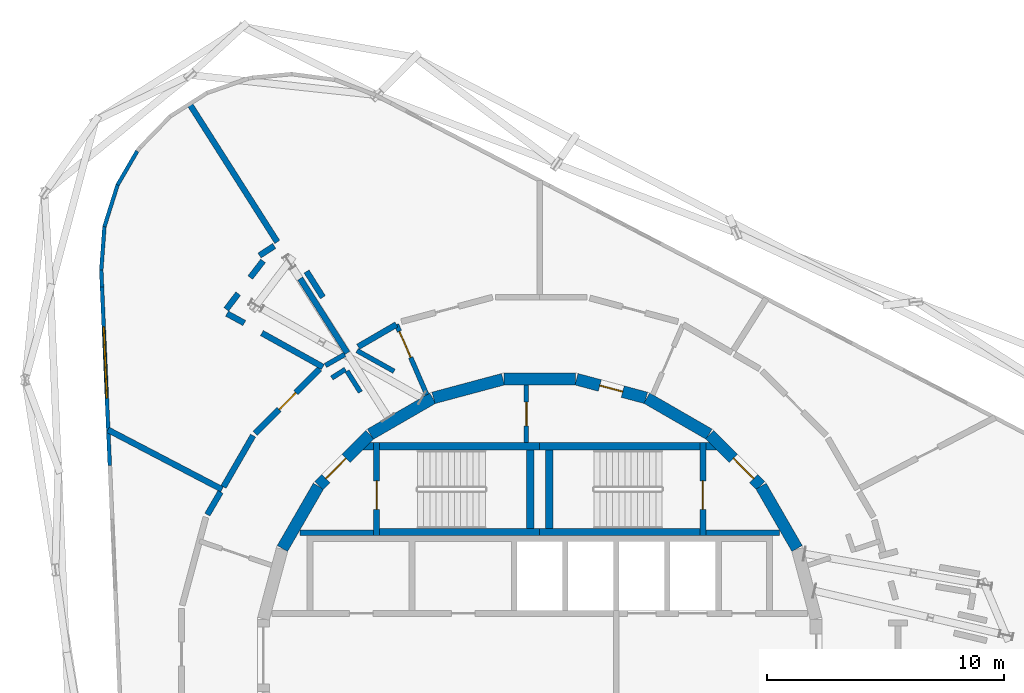
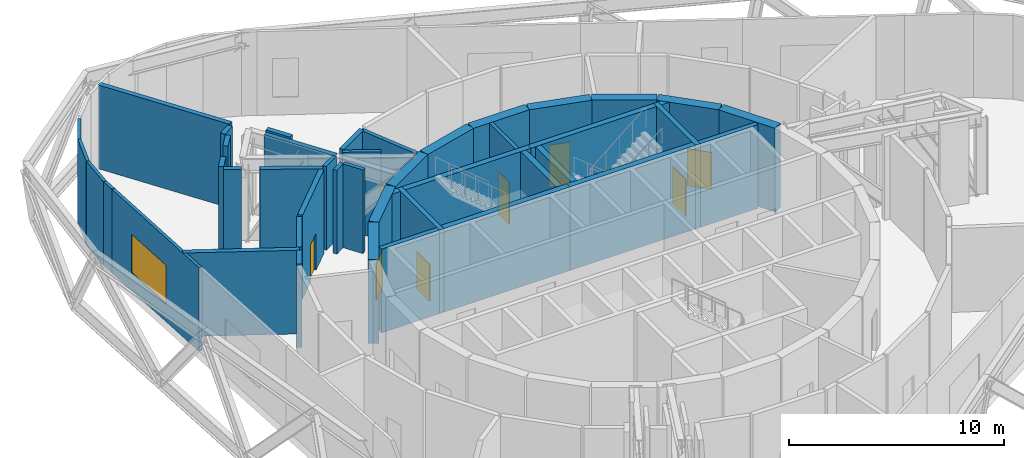
# One storey, part 9 of 12: 45 walls, 8 doors, 1 window, 9 openings.
"""IFC4 building model written with IfcOpenShell, lengths in metres."""

from ifc_helpers import new_model, si_unit, direction, frame, frame_2d, origin, place, context, subcontext, project, spatial, polyline, rectangle, outline, extrude, material, layer, layer_set, type_object, element, fill, save


model = new_model("IFC4")

# Units and contexts
model_context = context("Model", 3, precision=1e-05, world=origin(), true_north=direction((0.0, 1.0)))
body_context = subcontext(model_context, "Body", "Model", "MODEL_VIEW")
ifc_project = project(units=[si_unit("LENGTHUNIT", "METRE"), si_unit("AREAUNIT", "SQUARE_METRE"), si_unit("VOLUMEUNIT", "CUBIC_METRE"), si_unit("PLANEANGLEUNIT", "RADIAN"), si_unit("MASSUNIT", "GRAM", prefix="KILO")], contexts=[model_context])

# Site, building, storey
site_placement = place(None, origin())
site = spatial("IfcSite", under=ifc_project, at=site_placement, CompositionType="ELEMENT")
building_placement = place(site_placement, origin())
building = spatial("IfcBuilding", under=site, at=building_placement, Name="Spindle Arch Residences", CompositionType="ELEMENT")
storey_placement = place(building_placement, frame((0.0, 0.0, 258.199951171875)))
storey = spatial("IfcBuildingStorey", under=building, at=storey_placement, Name="L66", CompositionType="ELEMENT", Elevation=258.199951171875)

# Wall
ifc_material_1 = material(Name="Concrete C50/60", Category="concrete")
ifc_layer_1 = layer(ifc_material_1, 0.5)
ifc_layer_set_1 = layer_set([ifc_layer_1], Name="Core outline wall 500")
wall_type_1 = type_object("IfcWallType", Name="Core outline wall 500", PredefinedType="SHEAR", material=ifc_layer_set_1)
wall_1_placement = place(storey_placement, frame((10.84521484375, 4.510498046875, 0.0), z_axis=(0.0, 0.0, 1.0), x_axis=(-0.500087131594, 0.865975092491, 0.0)))
element("IfcWall", 1, at=wall_1_placement, inside=storey, type_object=wall_type_1, Name="Core outline wall 8", PredefinedType="SHEAR", context=body_context, shape_type="SweptSolid", body=[
    extrude(rectangle(XDim=3.03271484375, YDim=0.5, at=frame_2d((1.516357421875, 0.0))), origin(), (0.0, 0.0, 1.0), 4.75),
])

# Wall, opening, door
wall_2_placement = place(storey_placement, frame((9.30810546875, 7.163818359375, 0.0), z_axis=(0.0, 0.0, 1.0), x_axis=(-0.707106781187, 0.707106781187, 0.0)))
wall_2 = element("IfcWall", 2, at=wall_2_placement, inside=storey, type_object=wall_type_1, Name="Core outline wall 9", PredefinedType="SHEAR", context=body_context, shape_type="SweptSolid", body=[
    extrude(rectangle(XDim=3.032470703125, YDim=0.5, at=frame_2d((1.51611328125, 0.0))), origin(), (0.0, 0.0, 1.0), 4.75),
])
opening_1_placement = place(wall_2_placement, frame((0.416259765625, 0.0, 0.0)))
opening_1 = element("IfcOpeningElement", 3, at=opening_1_placement, cuts=wall_2, Name="Opening L66-AD01", PredefinedType="OPENING", context=body_context, shape_type="SweptSolid", body=[
    extrude(rectangle(XDim=1.199951171875, YDim=2.10009765625, at=frame_2d((0.60009765625, 1.050048828125))), frame((0.0, 0.260009765625, 0.0), z_axis=(0.0, -1.0, 0.0), x_axis=(1.0, 0.0, 0.0)), (0.0, 0.0, 1.0), 0.52001953125),
])
ifc_material_2 = material(Name="Steel, fire-resisting door", Category="steel")
door_type_1 = type_object("IfcDoorType", Name="Stair airlock door 1200x2100", OperationType="SINGLE_SWING_LEFT", PredefinedType="DOOR", material=ifc_material_2)
door_1_placement = place(opening_1_placement, origin())
door_1 = element("IfcDoor", 4, at=door_1_placement, inside=storey, type_object=door_type_1, Name="Stair airlock door L66-AD01", OperationType="SINGLE_SWING_RIGHT", OverallHeight=2.10009765625, OverallWidth=1.199951171875, PredefinedType="DOOR", context=body_context, shape_type="SweptSolid", body=[
    extrude(rectangle(XDim=1.199951171875, YDim=2.10009765625, at=frame_2d((0.60009765625, 1.050048828125))), frame((0.0, 0.02490234375, 0.0), z_axis=(0.0, -1.0, 0.0), x_axis=(1.0, 0.0, 0.0)), (0.0, 0.0, 1.0), 0.050048828125),
])
fill(opening_1, door_1)

# Wall
wall_3_placement = place(storey_placement, frame((7.13671875, 9.32861328125, 0.0), z_axis=(0.0, 0.0, 1.0), x_axis=(-0.865975092491, 0.500087131594, 0.0)))
element("IfcWall", 5, at=wall_3_placement, inside=storey, type_object=wall_type_1, Name="Core outline wall 10", PredefinedType="SHEAR", context=body_context, shape_type="SweptSolid", body=[
    extrude(rectangle(XDim=3.03271484375, YDim=0.5, at=frame_2d((1.516357421875, 0.0))), origin(), (0.0, 0.0, 1.0), 4.75),
])

# Wall, opening, door
wall_4_placement = place(storey_placement, frame((4.479248046875, 10.858154296875, 0.0), z_axis=(0.0, 0.0, 1.0), x_axis=(-0.965948410781, 0.258734743916, 0.0)))
wall_4 = element("IfcWall", 6, at=wall_4_placement, inside=storey, type_object=wall_type_1, Name="Core outline wall 11", PredefinedType="SHEAR", context=body_context, shape_type="SweptSolid", body=[
    extrude(rectangle(XDim=3.03271484375, YDim=0.5, at=frame_2d((1.516357421875, 0.0))), origin(), (0.0, 0.0, 1.0), 4.75),
])
opening_2_placement = place(wall_4_placement, frame((1.01611328125, 0.0, 0.0)))
opening_2 = element("IfcOpeningElement", 7, at=opening_2_placement, cuts=wall_4, Name="Opening L66-PD09", PredefinedType="OPENING", context=body_context, shape_type="SweptSolid", body=[
    extrude(rectangle(XDim=1.0, YDim=2.39990234375, at=frame_2d((0.5, 1.199951171875))), frame((0.0, 0.260009765625, 0.0), z_axis=(0.0, -1.0, 0.0), x_axis=(1.0, 0.0, 0.0)), (0.0, 0.0, 1.0), 0.52001953125),
])
ifc_material_3 = material(Name="Steel, fire-resisting door", Category="steel")
door_type_2 = type_object("IfcDoorType", Name="Plant room door 1000x2400", OperationType="SINGLE_SWING_LEFT", PredefinedType="DOOR", material=ifc_material_3)
door_2_placement = place(opening_2_placement, origin())
door_2 = element("IfcDoor", 8, at=door_2_placement, inside=storey, type_object=door_type_2, Name="Plant room door L66-PD09", OperationType="SINGLE_SWING_LEFT", OverallHeight=2.39990234375, OverallWidth=1.0, PredefinedType="DOOR", context=body_context, shape_type="SweptSolid", body=[
    extrude(rectangle(XDim=1.0, YDim=2.39990234375, at=frame_2d((0.5, 1.199951171875))), frame((0.0, 0.02490234375, 0.0), z_axis=(0.0, -1.0, 0.0), x_axis=(1.0, 0.0, 0.0)), (0.0, 0.0, 1.0), 0.050048828125),
])
fill(opening_2, door_2)

# Walls
for number, where, z_axis, x_axis, name in (
    (9, (1.516357421875, 11.647216796875, 0.0), (0.0, 0.0, 1.0), (-1.0, 0.0, 0.0), "Core outline wall 12"),
    (10, (-1.5498046875, 11.642822265625, 0.0), (0.0, 0.0, 1.0), (-0.965948410781, -0.258734743916, 0.0), "Core outline wall 13"),
    (11, (-4.510498046875, 10.84521484375, 0.0), (0.0, 0.0, 1.0), (-0.865975092491, -0.500087131594, 0.0), "Core outline wall 14"),
):
    element("IfcWall", number, at=place(storey_placement, frame(where, z_axis=z_axis, x_axis=x_axis)), inside=storey, type_object=wall_type_1, Name=name, PredefinedType="SHEAR", context=body_context, shape_type="SweptSolid", body=[
        extrude(rectangle(XDim=3.03271484375, YDim=0.5, at=frame_2d((1.516357421875, 0.0))), origin(), (0.0, 0.0, 1.0), 4.75),
    ])

# Wall, opening, door
wall_5_placement = place(storey_placement, frame((-7.163818359375, 9.30810546875, 0.0), z_axis=(0.0, 0.0, 1.0), x_axis=(-0.707106781187, -0.707106781187, 0.0)))
wall_5 = element("IfcWall", 12, at=wall_5_placement, inside=storey, type_object=wall_type_1, Name="Core outline wall 15", PredefinedType="SHEAR", context=body_context, shape_type="SweptSolid", body=[
    extrude(rectangle(XDim=3.032470703125, YDim=0.5, at=frame_2d((1.51611328125, 0.0))), origin(), (0.0, 0.0, 1.0), 4.75),
])
opening_3_placement = place(wall_5_placement, frame((1.416259765625, 0.0, 0.0)))
opening_3 = element("IfcOpeningElement", 13, at=opening_3_placement, cuts=wall_5, Name="Opening L66-AD02", PredefinedType="OPENING", context=body_context, shape_type="SweptSolid", body=[
    extrude(rectangle(XDim=1.199951171875, YDim=2.10009765625, at=frame_2d((0.60009765625, 1.050048828125))), frame((0.0, 0.260009765625, 0.0), z_axis=(0.0, -1.0, 0.0), x_axis=(1.0, 0.0, 0.0)), (0.0, 0.0, 1.0), 0.52001953125),
])
door_3_placement = place(opening_3_placement, origin())
door_3 = element("IfcDoor", 14, at=door_3_placement, inside=storey, type_object=door_type_1, Name="Stair airlock door L66-AD02", OperationType="SINGLE_SWING_RIGHT", OverallHeight=2.10009765625, OverallWidth=1.199951171875, PredefinedType="DOOR", context=body_context, shape_type="SweptSolid", body=[
    extrude(rectangle(XDim=1.199951171875, YDim=2.10009765625, at=frame_2d((0.60009765625, 1.050048828125))), frame((0.0, 0.02490234375, 0.0), z_axis=(0.0, -1.0, 0.0), x_axis=(1.0, 0.0, 0.0)), (0.0, 0.0, 1.0), 0.050048828125),
])
fill(opening_3, door_3)

# Walls
wall_6_placement = place(storey_placement, frame((-9.32861328125, 7.13671875, 0.0), z_axis=(0.0, 0.0, 1.0), x_axis=(-0.500087131594, -0.865975092491, 0.0)))
element("IfcWall", 15, at=wall_6_placement, inside=storey, type_object=wall_type_1, Name="Core outline wall 16", PredefinedType="SHEAR", context=body_context, shape_type="SweptSolid", body=[
    extrude(rectangle(XDim=3.03271484375, YDim=0.5, at=frame_2d((1.516357421875, 0.0))), origin(), (0.0, 0.0, 1.0), 4.75),
])
ifc_material_4 = material(Name="Non-combustible mineral wool insulated aluminium faced external wall (K0)", Category="aluminium")
ifc_layer_2 = layer(ifc_material_4, 0.159912109375)
ifc_layer_set_2 = layer_set([ifc_layer_2], Name="Insulated external wall panel 160")
wall_type_2 = type_object("IfcWallType", Name="Insulated external wall panel 160", PredefinedType="STANDARD", material=ifc_layer_set_2)
wall_7_placement = place(storey_placement, frame((-16.9638671875, 21.259521484375, 0.0), z_axis=(0.0, 0.0, 1.0), x_axis=(-0.502331021431, -0.864675398579, 0.0)))
element("IfcWall", 16, at=wall_7_placement, inside=storey, type_object=wall_type_2, Name="Plant wall L66 bay 12.1", PredefinedType="STANDARD", context=body_context, shape_type="SweptSolid", body=[
    extrude(rectangle(XDim=1.65673828125, YDim=0.159912109375, at=frame_2d((0.828369140625, 0.0))), origin(), (0.0, 0.0, 1.0), 4.75),
])
wall_8_placement = place(storey_placement, frame((-17.79248046875, 19.8349609375, 0.0), z_axis=(0.0, 0.0, 1.0), x_axis=(-0.300688740971, -0.953722329116, 0.0)))
element("IfcWall", 17, at=wall_8_placement, inside=storey, type_object=wall_type_2, Name="Plant wall L66 bay 12.2", PredefinedType="STANDARD", context=body_context, shape_type="SweptSolid", body=[
    extrude(rectangle(XDim=1.847900390625, YDim=0.159912109375, at=frame_2d((0.923828125, 0.0))), origin(), (0.0, 0.0, 1.0), 4.75),
])
wall_9_placement = place(storey_placement, frame((-18.346435546875, 18.081787109375, 0.0), z_axis=(0.0, 0.0, 1.0), x_axis=(-0.072731814363, -0.997351534405, 0.0)))
element("IfcWall", 18, at=wall_9_placement, inside=storey, type_object=wall_type_2, Name="Plant wall L66 bay 12.3", PredefinedType="STANDARD", context=body_context, shape_type="SweptSolid", body=[
    extrude(rectangle(XDim=1.84619140625, YDim=0.159912109375, at=frame_2d((0.923095703125, 0.0))), origin(), (0.0, 0.0, 1.0), 4.75),
])
wall_10_placement = place(storey_placement, frame((-18.48046875, 16.245361328125, 0.0), z_axis=(0.0, 0.0, 1.0), x_axis=(0.043349043564, -0.9990599884, 0.0)))
element("IfcWall", 19, at=wall_10_placement, inside=storey, type_object=wall_type_2, Name="Plant wall L66 bay 12.4", PredefinedType="STANDARD", context=body_context, shape_type="SweptSolid", body=[
    extrude(rectangle(XDim=0.720947265625, YDim=0.159912109375, at=frame_2d((0.3603515625, 0.0))), origin(), (0.0, 0.0, 1.0), 4.75),
])

# Wall, opening, window
wall_11_placement = place(storey_placement, frame((-18.44921875, 15.525146484375, 0.0), z_axis=(0.0, 0.0, 1.0), x_axis=(0.043639829449, -0.999047328852, 0.0)))
wall_11 = element("IfcWall", 20, at=wall_11_placement, inside=storey, type_object=wall_type_2, Name="Plant wall L66 bay 13", PredefinedType="STANDARD", context=body_context, shape_type="SweptSolid", body=[
    extrude(rectangle(XDim=7.530029296875, YDim=0.159912109375, at=frame_2d((3.76513671875, 0.0))), origin(), (0.0, 0.0, 1.0), 4.75),
])
opening_4_placement = place(wall_11_placement, frame((1.676513671875, 0.0, 1.0)))
opening_4 = element("IfcOpeningElement", 21, at=opening_4_placement, cuts=wall_11, Name="Opening LW1", PredefinedType="OPENING", context=body_context, shape_type="SweptSolid", body=[
    extrude(rectangle(XDim=3.0, YDim=2.199951171875, at=frame_2d((1.5, 1.10009765625))), frame((0.0, 0.08984375, 0.0), z_axis=(0.0, -1.0, 0.0), x_axis=(1.0, 0.0, 0.0)), (0.0, 0.0, 1.0), 0.179931640625),
])
ifc_material_5 = material(Name="Bronze anodised aluminium fixed louvre", Category="aluminium")
window_type = type_object("IfcWindowType", Name="Plant louvre opening 3000x2200", PartitioningType="SINGLE_PANEL", PredefinedType="WINDOW", material=ifc_material_5)
window_placement = place(opening_4_placement, origin())
window = element("IfcWindow", 22, at=window_placement, inside=storey, type_object=window_type, Name="Louvre opening L66 bay 13.1", OverallHeight=2.199951171875, OverallWidth=3.0, PartitioningType="SINGLE_PANEL", PredefinedType="WINDOW", context=body_context, shape_type="SweptSolid", body=[
    extrude(rectangle(XDim=3.0, YDim=2.199951171875, at=frame_2d((1.5, 1.10009765625))), frame((0.0, 0.030029296875, 0.0), z_axis=(0.0, -1.0, 0.0), x_axis=(1.0, 0.0, 0.0)), (0.0, 0.0, 1.0), 0.06005859375),
])
fill(opening_4, window)

# Walls
ifc_material_6 = material(Name="Concrete C25/30 wall", Category="concrete")
ifc_layer_3 = layer(ifc_material_6, 0.25)
ifc_layer_set_3 = layer_set([ifc_layer_3], Name="Partition EI 120 250 plant")
wall_type_3 = type_object("IfcWallType", Name="Partition EI 120 250 plant", PredefinedType="PARTITIONING", material=ifc_layer_set_3)
wall_12_placement = place(storey_placement, frame((-10.097900390625, 15.88623046875, 0.0), z_axis=(0.0, 0.0, 1.0), x_axis=(0.535343000647, -0.844634756364, 0.0)))
element("IfcWall", 23, at=wall_12_placement, inside=storey, type_object=wall_type_3, Name="L66-W018", PredefinedType="PARTITIONING", context=body_context, shape_type="SweptSolid", body=[
    extrude(rectangle(XDim=3.713134765625, YDim=0.25, at=frame_2d((1.8564453125, 0.0))), origin(), (0.0, 0.0, 1.0), 4.75),
])
wall_13_placement = place(storey_placement, frame((-9.139892578125, 15.10009765625, 0.0), z_axis=(0.0, 0.0, 1.0), x_axis=(-0.535889684675, 0.844288011202, 0.0)))
element("IfcWall", 24, at=wall_13_placement, inside=storey, type_object=wall_type_3, Name="L66-W021", PredefinedType="PARTITIONING", context=body_context, shape_type="SweptSolid", body=[
    extrude(rectangle(XDim=1.282470703125, YDim=0.25, at=frame_2d((0.64111328125, 0.0))), origin(), (0.0, 0.0, 1.0), 4.75),
])
wall_14_placement = place(storey_placement, frame((-7.65185546875, 13.012939453125, 0.0), z_axis=(0.0, 0.0, 1.0), x_axis=(0.864528358021, 0.50258404091, 0.0)))
element("IfcWall", 25, at=wall_14_placement, inside=storey, type_object=wall_type_3, Name="L66-W026", PredefinedType="PARTITIONING", context=body_context, shape_type="SweptSolid", body=[
    extrude(rectangle(XDim=1.864501953125, YDim=0.25, at=frame_2d((0.93212890625, 0.0))), origin(), (0.0, 0.0, 1.0), 4.75),
])
ifc_material_7 = material(Name="Concrete C25/30 wall", Category="concrete")
ifc_layer_4 = layer(ifc_material_7, 0.25)
ifc_layer_set_4 = layer_set([ifc_layer_4], Name="Partition EI 150 250 electrical")
wall_type_4 = type_object("IfcWallType", Name="Partition EI 150 250 electrical", PredefinedType="PARTITIONING", material=ifc_layer_set_4)
wall_15_placement = place(storey_placement, frame((-13.389892578125, 7.0, 0.0), z_axis=(0.0, 0.0, 1.0), x_axis=(-0.886293445751, 0.463124095701, 0.0)))
element("IfcWall", 26, at=wall_15_placement, inside=storey, type_object=wall_type_4, Name="L66-W006", PredefinedType="PARTITIONING", context=body_context, shape_type="SweptSolid", body=[
    extrude(rectangle(XDim=5.426025390625, YDim=0.25, at=frame_2d((2.712890625, 0.0))), origin(), (0.0, 0.0, 1.0), 4.75),
])
wall_16_placement = place(storey_placement, frame((-13.452880859375, 6.891845703125, 0.0), z_axis=(0.0, 0.0, 1.0), x_axis=(-0.502370413152, -0.864652512857, 0.0)))
element("IfcWall", 27, at=wall_16_placement, inside=storey, type_object=wall_type_4, Name="L66-W007", PredefinedType="PARTITIONING", context=body_context, shape_type="SweptSolid", body=[
    extrude(rectangle(XDim=1.103271484375, YDim=0.25, at=frame_2d((0.5517578125, 0.0))), origin(), (0.0, 0.0, 1.0), 4.75),
])
ifc_material_8 = material(Name="Gypsum board partition on steel studs", Category="steel")
ifc_layer_5 = layer(ifc_material_8, 0.199951171875)
ifc_layer_set_5 = layer_set([ifc_layer_5], Name="Partition EI 60 200 amenity")
wall_type_5 = type_object("IfcWallType", Name="Partition EI 60 200 amenity", PredefinedType="PARTITIONING", material=ifc_layer_set_5)
wall_17_placement = place(storey_placement, frame((-8.119873046875, 11.986328125, 0.0), z_axis=(0.0, 0.0, 1.0), x_axis=(0.534054329683, -0.845450159943, 0.0)))
element("IfcWall", 28, at=wall_17_placement, inside=storey, type_object=wall_type_5, Name="L66-W024", PredefinedType="PARTITIONING", context=body_context, shape_type="SweptSolid", body=[
    extrude(rectangle(XDim=1.04833984375, YDim=0.199951171875, at=frame_2d((0.524169921875, 0.0))), origin(), (0.0, 0.0, 1.0), 4.75),
])
wall_18_placement = place(storey_placement, frame((-8.218505859375, 12.68798828125, 0.0), z_axis=(0.0, 0.0, 1.0), x_axis=(-0.867665313517, -0.497148774231, 0.0)))
element("IfcWall", 29, at=wall_18_placement, inside=storey, type_object=wall_type_5, Name="L66-W025", PredefinedType="PARTITIONING", context=body_context, shape_type="SweptSolid", body=[
    extrude(rectangle(XDim=0.93701171875, YDim=0.199951171875, at=frame_2d((0.468505859375, 0.0))), origin(), (0.0, 0.0, 1.0), 4.75),
])
wall_19_placement = place(storey_placement, frame((-6.139892578125, 11.97998046875, 0.0), z_axis=(0.0, 0.0, 1.0), x_axis=(-0.873343748456, 0.487104400547, 0.0)))
element("IfcWall", 30, at=wall_19_placement, inside=storey, type_object=wall_type_5, Name="L66-W031", PredefinedType="PARTITIONING", context=body_context, shape_type="SweptSolid", body=[
    extrude(rectangle(XDim=1.786376953125, YDim=0.199951171875, at=frame_2d((0.89306640625, 0.0))), origin(), (0.0, 0.0, 1.0), 4.75),
])

# Wall, opening, door
wall_20_placement = place(storey_placement, frame((-6.039306640625, 13.948486328125, 0.0), z_axis=(0.0, 0.0, 1.0), x_axis=(0.396897353622, -0.917863002135, 0.0)))
wall_20 = element("IfcWall", 31, at=wall_20_placement, inside=storey, type_object=wall_type_5, Name="L66-W032", PredefinedType="PARTITIONING", context=body_context, shape_type="SweptSolid", body=[
    extrude(rectangle(XDim=3.22314453125, YDim=0.199951171875, at=frame_2d((1.611572265625, 0.0))), origin(), (0.0, 0.0, 1.0), 4.75),
])
opening_5_placement = place(wall_20_placement, frame((0.3115234375, 0.0, 0.0)))
opening_5 = element("IfcOpeningElement", 32, at=opening_5_placement, cuts=wall_20, Name="Opening L66-D12", PredefinedType="OPENING", context=body_context, shape_type="SweptSolid", body=[
    extrude(rectangle(XDim=1.199951171875, YDim=2.10009765625, at=frame_2d((0.60009765625, 1.050048828125))), frame((0.0, 0.10986328125, 0.0), z_axis=(0.0, -1.0, 0.0), x_axis=(1.0, 0.0, 0.0)), (0.0, 0.0, 1.0), 0.219970703125),
])
ifc_material_9 = material(Name="Steel door leaf, painted", Category="steel")
door_type_3 = type_object("IfcDoorType", Name="Door 1200x2100 EI 60", OperationType="SINGLE_SWING_LEFT", PredefinedType="DOOR", material=ifc_material_9)
door_4_placement = place(opening_5_placement, origin())
door_4 = element("IfcDoor", 33, at=door_4_placement, inside=storey, type_object=door_type_3, Name="L66-D12", OperationType="SINGLE_SWING_LEFT", OverallHeight=2.10009765625, OverallWidth=1.199951171875, PredefinedType="DOOR", context=body_context, shape_type="SweptSolid", body=[
    extrude(rectangle(XDim=1.199951171875, YDim=2.10009765625, at=frame_2d((0.60009765625, 1.050048828125))), frame((0.0, 0.02490234375, 0.0), z_axis=(0.0, -1.0, 0.0), x_axis=(1.0, 0.0, 0.0)), (0.0, 0.0, 1.0), 0.050048828125),
])
fill(opening_5, door_4)

# Walls
wall_21_placement = place(storey_placement, frame((-8.192138671875, 12.058837890625, 0.0), z_axis=(0.0, 0.0, 1.0), x_axis=(-0.845540263532, -0.533911661932, 0.0)))
element("IfcWall", 34, at=wall_21_placement, inside=storey, type_object=wall_type_5, Name="L66-W074", PredefinedType="PARTITIONING", context=body_context, shape_type="SweptSolid", body=[
    extrude(rectangle(XDim=0.677734375, YDim=0.199951171875, at=frame_2d((0.3388671875, 0.0))), origin(), (0.0, 0.0, 1.0), 4.75),
])
ifc_material_10 = material(Name="Concrete C25/30 wall", Category="concrete")
ifc_layer_6 = layer(ifc_material_10, 0.25)
ifc_layer_set_6 = layer_set([ifc_layer_6], Name="Partition REI 120 250 refuge")
wall_type_6 = type_object("IfcWallType", Name="Partition REI 120 250 refuge", PredefinedType="PARTITIONING", material=ifc_layer_set_6)
wall_22_placement = place(storey_placement, frame((-13.179931640625, 14.409912109375, 0.0), z_axis=(0.0, 0.0, 1.0), x_axis=(0.877019761318, -0.480454304026, 0.0)))
element("IfcWall", 35, at=wall_22_placement, inside=storey, type_object=wall_type_6, Name="L66-W008", PredefinedType="PARTITIONING", context=body_context, shape_type="SweptSolid", body=[
    extrude(rectangle(XDim=0.832275390625, YDim=0.25, at=frame_2d((0.416015625, 0.0))), origin(), (0.0, 0.0, 1.0), 4.75),
])
wall_23_placement = place(storey_placement, frame((-12.7099609375, 15.25, 0.0), z_axis=(0.0, 0.0, 1.0), x_axis=(-0.603908782769, -0.797053437415, 0.0)))
element("IfcWall", 36, at=wall_23_placement, inside=storey, type_object=wall_type_6, Name="L66-W009", PredefinedType="PARTITIONING", context=body_context, shape_type="SweptSolid", body=[
    extrude(rectangle(XDim=0.827880859375, YDim=0.25, at=frame_2d((0.4140625, 0.0))), origin(), (0.0, 0.0, 1.0), 4.75),
])
wall_24_placement = place(storey_placement, frame((-12.080078125, 9.27001953125, 0.0), z_axis=(0.0, 0.0, 1.0), x_axis=(-0.499821239653, -0.866128586522, 0.0)))
element("IfcWall", 37, at=wall_24_placement, inside=storey, type_object=wall_type_6, Name="L66-W012", PredefinedType="PARTITIONING", context=body_context, shape_type="SweptSolid", body=[
    extrude(rectangle(XDim=2.49609375, YDim=0.25, at=frame_2d((1.248046875, 0.0))), origin(), (0.0, 0.0, 1.0), 4.75),
])
wall_25_placement = place(storey_placement, frame((-11.7099609375, 13.590087890625, 0.0), z_axis=(0.0, 0.0, 1.0), x_axis=(0.873816418471, -0.486255968406, 0.0)))
element("IfcWall", 38, at=wall_25_placement, inside=storey, type_object=wall_type_6, Name="L66-W013", PredefinedType="PARTITIONING", context=body_context, shape_type="SweptSolid", body=[
    extrude(rectangle(XDim=2.941162109375, YDim=0.25, at=frame_2d((1.470703125, 0.0))), origin(), (0.0, 0.0, 1.0), 4.75),
])
wall_26_placement = place(storey_placement, frame((-11.659912109375, 16.6298828125, 0.0), z_axis=(0.0, 0.0, 1.0), x_axis=(-0.610857864415, -0.791740279058, 0.0)))
element("IfcWall", 39, at=wall_26_placement, inside=storey, type_object=wall_type_6, Name="L66-W014", PredefinedType="PARTITIONING", context=body_context, shape_type="SweptSolid", body=[
    extrude(rectangle(XDim=0.884033203125, YDim=0.25, at=frame_2d((0.44189453125, 0.0))), origin(), (0.0, 0.0, 1.0), 4.75),
])
wall_27_placement = place(storey_placement, frame((-11.18994140625, 17.260009765625, 0.0), z_axis=(0.0, 0.0, 1.0), x_axis=(-0.840403598602, -0.541961060831, 0.0)))
element("IfcWall", 40, at=wall_27_placement, inside=storey, type_object=wall_type_6, Name="L66-W016", PredefinedType="PARTITIONING", context=body_context, shape_type="SweptSolid", body=[
    extrude(rectangle(XDim=0.73779296875, YDim=0.25, at=frame_2d((0.368896484375, 0.0))), origin(), (0.0, 0.0, 1.0), 4.75),
])
wall_28_placement = place(storey_placement, frame((-11.060791015625, 17.428955078125, 0.0), z_axis=(0.0, 0.0, 1.0), x_axis=(-0.536545243725, 0.843871555058, 0.0)))
element("IfcWall", 41, at=wall_28_placement, inside=storey, type_object=wall_type_6, Name="L66-W017", PredefinedType="PARTITIONING", context=body_context, shape_type="SweptSolid", body=[
    extrude(rectangle(XDim=6.88916015625, YDim=0.25, at=frame_2d((3.444580078125, 0.0))), origin(), (0.0, 0.0, 1.0), 4.75),
])

# Wall, opening, door
wall_29_placement = place(storey_placement, frame((-9.27001953125, 12.080078125, 0.0), z_axis=(0.0, 0.0, 1.0), x_axis=(-0.707106781187, -0.707106781187, 0.0)))
wall_29 = element("IfcWall", 42, at=wall_29_placement, inside=storey, type_object=wall_type_6, Name="L66-W020", PredefinedType="PARTITIONING", context=body_context, shape_type="SweptSolid", body=[
    extrude(rectangle(XDim=3.84912109375, YDim=0.25, at=frame_2d((1.924560546875, 0.0))), origin(), (0.0, 0.0, 1.0), 4.75),
])
opening_6_placement = place(wall_29_placement, frame((1.424560546875, 0.0, 0.0)))
opening_6 = element("IfcOpeningElement", 43, at=opening_6_placement, cuts=wall_29, Name="Opening L66-D08", PredefinedType="OPENING", context=body_context, shape_type="SweptSolid", body=[
    extrude(rectangle(XDim=1.0, YDim=2.10009765625, at=frame_2d((0.5, 1.050048828125))), frame((0.0, 0.135009765625, 0.0), z_axis=(0.0, -1.0, 0.0), x_axis=(1.0, 0.0, 0.0)), (0.0, 0.0, 1.0), 0.27001953125),
])
ifc_material_11 = material(Name="Steel door leaf, painted", Category="steel")
door_type_4 = type_object("IfcDoorType", Name="Door 1000x2100 EI 60", OperationType="SINGLE_SWING_LEFT", PredefinedType="DOOR", material=ifc_material_11)
door_5_placement = place(opening_6_placement, origin())
door_5 = element("IfcDoor", 44, at=door_5_placement, inside=storey, type_object=door_type_4, Name="L66-D08", OperationType="SINGLE_SWING_LEFT", OverallHeight=2.10009765625, OverallWidth=1.0, PredefinedType="DOOR", context=body_context, shape_type="SweptSolid", body=[
    extrude(rectangle(XDim=1.0, YDim=2.10009765625, at=frame_2d((0.5, 1.050048828125))), frame((0.0, 0.02490234375, 0.0), z_axis=(0.0, -1.0, 0.0), x_axis=(1.0, 0.0, 0.0)), (0.0, 0.0, 1.0), 0.050048828125),
])
fill(opening_6, door_5)

ifc_material_12 = material(Name="Concrete C25/30", Category="concrete")
ifc_layer_7 = layer(ifc_material_12, 0.18994140625)
ifc_layer_set_7 = layer_set([ifc_layer_7], Name="Plant room partition 190")
wall_type_7 = type_object("IfcWallType", Name="Plant room partition 190", PredefinedType="PARTITIONING", material=ifc_layer_set_7)
wall_30_placement = place(storey_placement, frame((-0.5615234375, 8.969970703125, 0.0), z_axis=(0.0, 0.0, 1.0), x_axis=(0.0, 1.0, 0.0)))
wall_30 = element("IfcWall", 45, at=wall_30_placement, inside=storey, type_object=wall_type_7, Name="Core plant room partition", PredefinedType="PARTITIONING", context=body_context, shape_type="SweptSolid", body=[
    extrude(rectangle(XDim=2.42724609375, YDim=0.18994140625, at=frame_2d((1.213623046875, 0.0))), origin(), (0.0, 0.0, 1.0), 4.75),
])
opening_7_placement = place(wall_30_placement, frame((0.713623046875, 0.0, 0.0)))
opening_7 = element("IfcOpeningElement", 46, at=opening_7_placement, cuts=wall_30, Name="Opening L66-PD04", PredefinedType="OPENING", context=body_context, shape_type="SweptSolid", body=[
    extrude(rectangle(XDim=1.0, YDim=2.39990234375, at=frame_2d((0.5, 1.199951171875))), frame((0.0, 0.10498046875, 0.0), z_axis=(0.0, -1.0, 0.0), x_axis=(1.0, 0.0, 0.0)), (0.0, 0.0, 1.0), 0.2099609375),
])
door_6_placement = place(opening_7_placement, origin())
door_6 = element("IfcDoor", 47, at=door_6_placement, inside=storey, type_object=door_type_2, Name="Plant room door L66-PD04", OperationType="SINGLE_SWING_RIGHT", OverallHeight=2.39990234375, OverallWidth=1.0, PredefinedType="DOOR", context=body_context, shape_type="SweptSolid", body=[
    extrude(rectangle(XDim=1.0, YDim=2.39990234375, at=frame_2d((0.5, 1.199951171875))), frame((0.0, 0.02490234375, 0.0), z_axis=(0.0, -1.0, 0.0), x_axis=(1.0, 0.0, 0.0)), (0.0, 0.0, 1.0), 0.050048828125),
])
fill(opening_7, door_6)

# Walls
ifc_material_13 = material(Name="Concrete C40/50", Category="concrete")
ifc_layer_8 = layer(ifc_material_13, 0.25)
ifc_layer_set_8 = layer_set([ifc_layer_8], Name="Stair airlock wall 250")
wall_type_8 = type_object("IfcWallType", Name="Stair airlock wall 250", PredefinedType="SHEAR", material=ifc_layer_set_8)
for number, where, z_axis, x_axis, name in (
    (48, (7.0, 5.175048828125, 0.0), (0.0, 0.0, 1.0), (1.0, 0.0, 0.0), "Stair ST-1 airlock wall S"),
    (49, (-7.0, 5.175048828125, 0.0), (0.0, 0.0, 1.0), (-1.0, 0.0, 0.0), "Stair ST-2 airlock wall S"),
):
    element("IfcWall", number, at=place(storey_placement, frame(where, z_axis=z_axis, x_axis=x_axis)), inside=storey, type_object=wall_type_8, Name=name, PredefinedType="SHEAR", context=body_context, shape_type="SweptSolid", body=[
        extrude(rectangle(XDim=3.10009765625, YDim=0.25, at=frame_2d((1.550048828125, 0.0))), origin(), (0.0, 0.0, 1.0), 4.75),
    ])
ifc_material_14 = material(Name="Concrete C40/50", Category="concrete")
wall_type_9 = type_object("IfcWallType", Name="Stair airlock wall profile", PredefinedType="SHEAR", material=ifc_material_14)
wall_31_placement = place(storey_placement, origin())
element("IfcWall", 50, at=wall_31_placement, inside=storey, type_object=wall_type_9, Name="Stair ST-1 airlock wall N", PredefinedType="SHEAR", context=body_context, shape_type="SweptSolid", body=[
    extrude(outline(polyline([(7.4482421875, 8.669921875), (7.0, 8.669921875), (7.0, 8.969970703125), (7.148193359375, 8.969970703125), (7.4482421875, 8.669921875)])), origin(), (0.0, 0.0, 1.0), 4.75),
])
wall_32_placement = place(storey_placement, origin())
element("IfcWall", 51, at=wall_32_placement, inside=storey, type_object=wall_type_9, Name="Stair ST-2 airlock wall N", PredefinedType="SHEAR", context=body_context, shape_type="SweptSolid", body=[
    extrude(outline(polyline([(-7.148193359375, 8.969970703125), (-7.0, 8.969970703125), (-7.0, 8.669921875), (-7.4482421875, 8.669921875), (-7.148193359375, 8.969970703125)])), origin(), (0.0, 0.0, 1.0), 4.75),
])

# Wall, opening, door
ifc_material_15 = material(Name="Concrete C50/60", Category="concrete")
ifc_layer_9 = layer(ifc_material_15, 0.25)
ifc_layer_set_9 = layer_set([ifc_layer_9], Name="Stair enclosure wall 250")
wall_type_10 = type_object("IfcWallType", Name="Stair enclosure wall 250", PredefinedType="SHEAR", material=ifc_layer_set_9)
wall_33_placement = place(storey_placement, frame((6.875, 5.050048828125, 0.0), z_axis=(0.0, 0.0, 1.0), x_axis=(0.0, 1.0, 0.0)))
wall_33 = element("IfcWall", 52, at=wall_33_placement, inside=storey, type_object=wall_type_10, Name="Stair ST-1 door wall", PredefinedType="SHEAR", context=body_context, shape_type="SweptSolid", body=[
    extrude(rectangle(XDim=3.919921875, YDim=0.25, at=frame_2d((1.9599609375, 0.0))), origin(), (0.0, 0.0, 1.0), 4.75),
])
opening_8_placement = place(wall_33_placement, frame((1.110107421875, 0.0, 0.0)))
opening_8 = element("IfcOpeningElement", 53, at=opening_8_placement, cuts=wall_33, Name="Opening L66-SD01", PredefinedType="OPENING", context=body_context, shape_type="SweptSolid", body=[
    extrude(rectangle(XDim=1.199951171875, YDim=2.10009765625, at=frame_2d((0.60009765625, 1.050048828125))), frame((0.0, 0.135009765625, 0.0), z_axis=(0.0, -1.0, 0.0), x_axis=(1.0, 0.0, 0.0)), (0.0, 0.0, 1.0), 0.27001953125),
])
ifc_material_16 = material(Name="Steel, fire-resisting door", Category="steel")
door_type_5 = type_object("IfcDoorType", Name="Stair door 1200x2100", OperationType="SINGLE_SWING_RIGHT", PredefinedType="DOOR", material=ifc_material_16)
door_7_placement = place(opening_8_placement, origin())
door_7 = element("IfcDoor", 54, at=door_7_placement, inside=storey, type_object=door_type_5, Name="Stair door L66-SD01", OperationType="SINGLE_SWING_LEFT", OverallHeight=2.10009765625, OverallWidth=1.199951171875, PredefinedType="DOOR", context=body_context, shape_type="SweptSolid", body=[
    extrude(rectangle(XDim=1.199951171875, YDim=2.10009765625, at=frame_2d((0.60009765625, 1.050048828125))), frame((0.0, 0.02490234375, 0.0), z_axis=(0.0, -1.0, 0.0), x_axis=(1.0, 0.0, 0.0)), (0.0, 0.0, 1.0), 0.050048828125),
])
fill(opening_8, door_7)

wall_34_placement = place(storey_placement, frame((-6.875, 8.969970703125, 0.0), z_axis=(0.0, 0.0, 1.0), x_axis=(0.0, -1.0, 0.0)))
wall_34 = element("IfcWall", 55, at=wall_34_placement, inside=storey, type_object=wall_type_10, Name="Stair ST-2 door wall", PredefinedType="SHEAR", context=body_context, shape_type="SweptSolid", body=[
    extrude(rectangle(XDim=3.919921875, YDim=0.25, at=frame_2d((1.9599609375, 0.0))), origin(), (0.0, 0.0, 1.0), 4.75),
])
opening_9_placement = place(wall_34_placement, frame((1.610107421875, 0.0, 0.0)))
opening_9 = element("IfcOpeningElement", 56, at=opening_9_placement, cuts=wall_34, Name="Opening L66-SD02", PredefinedType="OPENING", context=body_context, shape_type="SweptSolid", body=[
    extrude(rectangle(XDim=1.199951171875, YDim=2.10009765625, at=frame_2d((0.60009765625, 1.050048828125))), frame((0.0, 0.135009765625, 0.0), z_axis=(0.0, -1.0, 0.0), x_axis=(1.0, 0.0, 0.0)), (0.0, 0.0, 1.0), 0.27001953125),
])
door_8_placement = place(opening_9_placement, origin())
door_8 = element("IfcDoor", 57, at=door_8_placement, inside=storey, type_object=door_type_5, Name="Stair door L66-SD02", OperationType="SINGLE_SWING_LEFT", OverallHeight=2.10009765625, OverallWidth=1.199951171875, PredefinedType="DOOR", context=body_context, shape_type="SweptSolid", body=[
    extrude(rectangle(XDim=1.199951171875, YDim=2.10009765625, at=frame_2d((0.60009765625, 1.050048828125))), frame((0.0, 0.02490234375, 0.0), z_axis=(0.0, -1.0, 0.0), x_axis=(1.0, 0.0, 0.0)), (0.0, 0.0, 1.0), 0.050048828125),
])
fill(opening_9, door_8)

# Walls
ifc_material_17 = material(Name="Concrete C50/60", Category="concrete")
ifc_layer_10 = layer(ifc_material_17, 0.300048828125)
ifc_layer_set_10 = layer_set([ifc_layer_10], Name="Stair enclosure wall 300")
wall_type_11 = type_object("IfcWallType", Name="Stair enclosure wall 300", PredefinedType="SHEAR", material=ifc_layer_set_10)
for number, where, z_axis, x_axis, name in (
    (58, (0.0, 5.199951171875, 0.0), (0.0, 0.0, 1.0), (1.0, 0.0, 0.0), "Stair ST-1 enclosure wall S"),
    (59, (0.0, 8.820068359375, 0.0), (0.0, 0.0, 1.0), (1.0, 0.0, 0.0), "Stair ST-1 enclosure wall N"),
):
    element("IfcWall", number, at=place(storey_placement, frame(where, z_axis=z_axis, x_axis=x_axis)), inside=storey, type_object=wall_type_11, Name=name, PredefinedType="SHEAR", context=body_context, shape_type="SweptSolid", body=[
        extrude(rectangle(XDim=6.75, YDim=0.300048828125, at=frame_2d((3.375, 0.0))), origin(), (0.0, 0.0, 1.0), 4.75),
    ])
wall_35_placement = place(storey_placement, frame((0.39990234375, 5.35009765625, 0.0), z_axis=(0.0, 0.0, 1.0), x_axis=(0.0, 1.0, 0.0)))
element("IfcWall", 60, at=wall_35_placement, inside=storey, type_object=wall_type_11, Name="Stair ST-1 enclosure wall F", PredefinedType="SHEAR", context=body_context, shape_type="SweptSolid", body=[
    extrude(rectangle(XDim=3.31982421875, YDim=0.300048828125, at=frame_2d((1.659912109375, 0.0))), origin(), (0.0, 0.0, 1.0), 4.75),
])
for number, where, z_axis, x_axis, name in (
    (61, (-6.75, 5.199951171875, 0.0), (0.0, 0.0, 1.0), (1.0, 0.0, 0.0), "Stair ST-2 enclosure wall S"),
    (62, (-6.75, 8.820068359375, 0.0), (0.0, 0.0, 1.0), (1.0, 0.0, 0.0), "Stair ST-2 enclosure wall N"),
):
    element("IfcWall", number, at=place(storey_placement, frame(where, z_axis=z_axis, x_axis=x_axis)), inside=storey, type_object=wall_type_11, Name=name, PredefinedType="SHEAR", context=body_context, shape_type="SweptSolid", body=[
        extrude(rectangle(XDim=6.75, YDim=0.300048828125, at=frame_2d((3.375, 0.0))), origin(), (0.0, 0.0, 1.0), 4.75),
    ])
wall_36_placement = place(storey_placement, frame((-0.39990234375, 5.35009765625, 0.0), z_axis=(0.0, 0.0, 1.0), x_axis=(0.0, 1.0, 0.0)))
element("IfcWall", 63, at=wall_36_placement, inside=storey, type_object=wall_type_11, Name="Stair ST-2 enclosure wall F", PredefinedType="SHEAR", context=body_context, shape_type="SweptSolid", body=[
    extrude(rectangle(XDim=3.31982421875, YDim=0.300048828125, at=frame_2d((1.659912109375, 0.0))), origin(), (0.0, 0.0, 1.0), 4.75),
])

save(model, "model.ifc")
